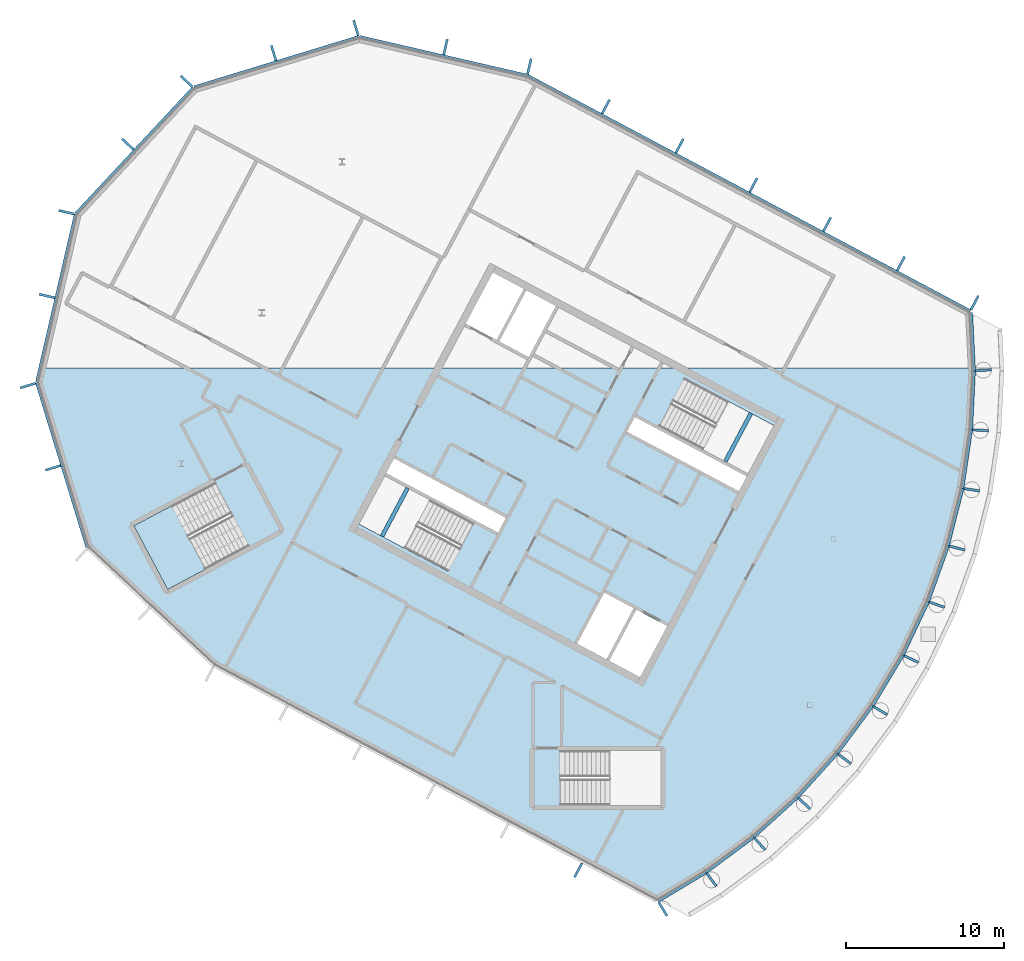
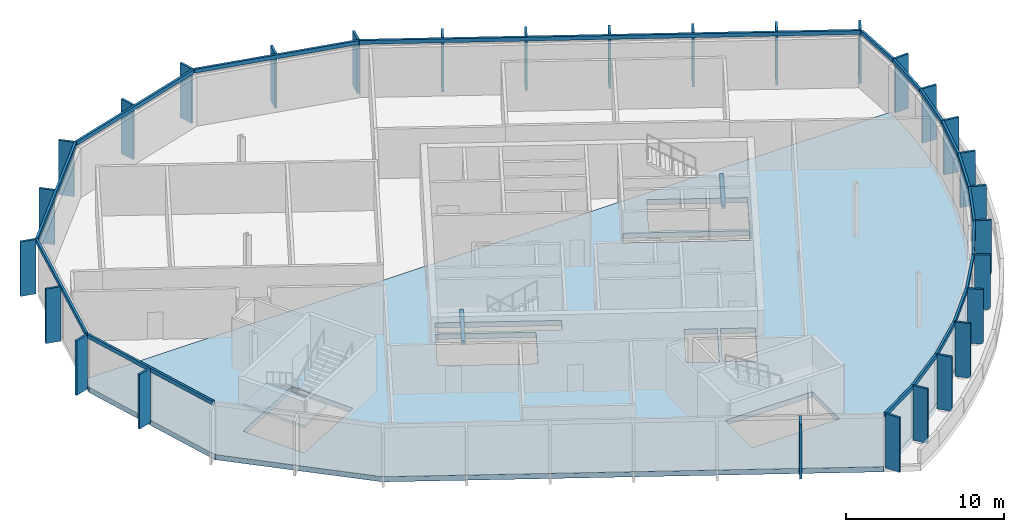
# One storey, part 4 of 16: 47 members, 2 beams, 2 slabs, 20 elements without a shape of their own.
"""IFC4 building model written with IfcOpenShell, lengths in metres."""

from ifc_helpers import new_model, si_unit, direction, frame, origin, origin_2d, place, context, subcontext, project, spatial, polyline, rectangle, outline, extrude, material, layer, layer_set, material_profile, profile_set, type_object, element, aggregate, save


model = new_model("IFC4")

# Units and contexts
model_context = context("Model", 3, precision=1e-05, world=origin(), true_north=direction((0.0, 1.0)))
body_context = subcontext(model_context, "Body", "Model", "MODEL_VIEW")
ifc_project = project(units=[si_unit("LENGTHUNIT", "METRE"), si_unit("AREAUNIT", "SQUARE_METRE"), si_unit("VOLUMEUNIT", "CUBIC_METRE"), si_unit("PLANEANGLEUNIT", "RADIAN"), si_unit("MASSUNIT", "GRAM", prefix="KILO")], contexts=[model_context])

# Site, building, storey
site_placement = place(None, origin())
site = spatial("IfcSite", under=ifc_project, at=site_placement, CompositionType="ELEMENT")
building_placement = place(site_placement, origin())
building = spatial("IfcBuilding", under=site, at=building_placement, Name="Cormorant Relay Tower", CompositionType="ELEMENT")
storey_placement = place(building_placement, frame((0.0, 0.0, 345.0)))
storey = spatial("IfcBuildingStorey", under=building, at=storey_placement, Name="C5", CompositionType="ELEMENT", Elevation=345.0)

# Curtain wall, member
ifc_material_1 = material(Name="Aluminium 6063-T6 anodised bronze", Category="aluminium")
ifc_layer_1 = layer(ifc_material_1, 0.199951171875)
ifc_layer_set_1 = layer_set([ifc_layer_1], Name="CW3 crown screen wall")
curtain_wall_type = type_object("IfcCurtainWallType", Name="CW3 crown screen wall", PredefinedType="NOTDEFINED", material=ifc_layer_set_1)
curtain_wall_1_placement = place(storey_placement, origin())
curtain_wall_1 = element("IfcCurtainWall", 1, at=curtain_wall_1_placement, inside=storey, type_object=curtain_wall_type, Name="CW3 curtain wall 1", PredefinedType="NOTDEFINED")
ifc_material_2 = material(Name="Aluminium 6063-T6 anodised bronze", Category="aluminium")
ifc_material_profile_1 = material_profile(ifc_material_2, rectangle(XDim=0.14990234375, YDim=1.0, at=origin_2d()), Name="AL 150x1000")
ifc_profile_set_1 = profile_set([ifc_material_profile_1], Name="Aluminium 6063-T6 anodised bronze")
member_type_1 = type_object("IfcMemberType", Name="CW3 bronze fin mullion 150 x 1000", PredefinedType="MULLION", material=ifc_profile_set_1)
member_1_placement = place(storey_placement, frame((-26.626220703125, -10.41943359375, 0.0), z_axis=(0.0, 0.0, 1.0), x_axis=(0.882947592859, -0.469471562786, 0.0)))
member_1 = element("IfcMember", 2, at=member_1_placement, type_object=member_type_1, Name="CW3 fin 1.6", PredefinedType="MULLION", context=body_context, shape_type="SweptSolid", body=[
    extrude(rectangle(XDim=0.14990234375, YDim=1.0, at=origin_2d()), origin(), (0.0, 0.0, 1.0), 4.199951171875),
])
aggregate(curtain_wall_1, [member_1])

curtain_wall_2_placement = place(storey_placement, origin())
curtain_wall_2 = element("IfcCurtainWall", 3, at=curtain_wall_2_placement, inside=storey, type_object=curtain_wall_type, Name="CW3 curtain wall 2", PredefinedType="NOTDEFINED")
member_2_placement = place(storey_placement, frame((-21.27880859375, -12.87890625, 0.0), z_axis=(0.0, 0.0, 1.0), x_axis=(0.85772861, 0.514102744193, 0.0)))
member_2 = element("IfcMember", 4, at=member_2_placement, type_object=member_type_1, Name="CW3 fin 2.1", PredefinedType="MULLION", context=body_context, shape_type="SweptSolid", body=[
    extrude(rectangle(XDim=0.14990234375, YDim=1.0, at=origin_2d()), origin(), (0.0, 0.0, 1.0), 4.199951171875),
])

curtain_wall_3_placement = place(storey_placement, origin())
curtain_wall_3 = element("IfcCurtainWall", 5, at=curtain_wall_3_placement, inside=storey, type_object=curtain_wall_type, Name="CW3 curtain wall 3", PredefinedType="NOTDEFINED")
member_3_placement = place(storey_placement, frame((-18.2041015625, -11.031982421875, 0.0), z_axis=(0.0, 0.0, 1.0), x_axis=(0.803207531481, 0.595699304492, 0.0)))
member_3 = element("IfcMember", 6, at=member_3_placement, type_object=member_type_1, Name="CW3 fin 3.1", PredefinedType="MULLION", context=body_context, shape_type="SweptSolid", body=[
    extrude(rectangle(XDim=0.14990234375, YDim=1.0, at=origin_2d()), origin(), (0.0, 0.0, 1.0), 4.199951171875),
])

curtain_wall_4_placement = place(storey_placement, origin())
curtain_wall_4 = element("IfcCurtainWall", 7, at=curtain_wall_4_placement, inside=storey, type_object=curtain_wall_type, Name="CW3 curtain wall 4", PredefinedType="NOTDEFINED")
member_4_placement = place(storey_placement, frame((-15.155517578125, -8.766845703125, 0.0), z_axis=(0.0, 0.0, 1.0), x_axis=(0.740951125355, 0.671558954847, 0.0)))
member_4 = element("IfcMember", 8, at=member_4_placement, type_object=member_type_1, Name="CW3 fin 4.1", PredefinedType="MULLION", context=body_context, shape_type="SweptSolid", body=[
    extrude(rectangle(XDim=0.14990234375, YDim=1.0, at=origin_2d()), origin(), (0.0, 0.0, 1.0), 4.199951171875),
])

curtain_wall_5_placement = place(storey_placement, origin())
curtain_wall_5 = element("IfcCurtainWall", 9, at=curtain_wall_5_placement, inside=storey, type_object=curtain_wall_type, Name="CW3 curtain wall 5", PredefinedType="NOTDEFINED")
member_5_placement = place(storey_placement, frame((-12.343994140625, -6.2138671875, 0.0), z_axis=(0.0, 0.0, 1.0), x_axis=(0.671558954847, 0.740951125355, 0.0)))
member_5 = element("IfcMember", 10, at=member_5_placement, type_object=member_type_1, Name="CW3 fin 5.1", PredefinedType="MULLION", context=body_context, shape_type="SweptSolid", body=[
    extrude(rectangle(XDim=0.14990234375, YDim=1.0, at=origin_2d()), origin(), (0.0, 0.0, 1.0), 4.199951171875),
])

curtain_wall_6_placement = place(storey_placement, origin())
curtain_wall_6 = element("IfcCurtainWall", 11, at=curtain_wall_6_placement, inside=storey, type_object=curtain_wall_type, Name="CW3 curtain wall 6", PredefinedType="NOTDEFINED")
member_6_placement = place(storey_placement, frame((-9.7958984375, -3.397705078125, 0.0), z_axis=(0.0, 0.0, 1.0), x_axis=(0.595699304492, 0.803207531481, 0.0)))
member_6 = element("IfcMember", 12, at=member_6_placement, type_object=member_type_1, Name="CW3 fin 6.1", PredefinedType="MULLION", context=body_context, shape_type="SweptSolid", body=[
    extrude(rectangle(XDim=0.14990234375, YDim=1.0, at=origin_2d()), origin(), (0.0, 0.0, 1.0), 4.199951171875),
])

curtain_wall_7_placement = place(storey_placement, origin())
curtain_wall_7 = element("IfcCurtainWall", 13, at=curtain_wall_7_placement, inside=storey, type_object=curtain_wall_type, Name="CW3 curtain wall 7", PredefinedType="NOTDEFINED")
member_7_placement = place(storey_placement, frame((-7.536376953125, -0.34521484375, 0.0), z_axis=(0.0, 0.0, 1.0), x_axis=(0.514102744193, 0.85772861, 0.0)))
member_7 = element("IfcMember", 14, at=member_7_placement, type_object=member_type_1, Name="CW3 fin 7.1", PredefinedType="MULLION", context=body_context, shape_type="SweptSolid", body=[
    extrude(rectangle(XDim=0.14990234375, YDim=1.0, at=origin_2d()), origin(), (0.0, 0.0, 1.0), 4.199951171875),
])

curtain_wall_8_placement = place(storey_placement, origin())
curtain_wall_8 = element("IfcCurtainWall", 15, at=curtain_wall_8_placement, inside=storey, type_object=curtain_wall_type, Name="CW3 curtain wall 8", PredefinedType="NOTDEFINED")
member_8_placement = place(storey_placement, frame((-5.5869140625, 2.913818359375, 0.0), z_axis=(0.0, 0.0, 1.0), x_axis=(0.42755509343, 0.903989293123, 0.0)))
member_8 = element("IfcMember", 16, at=member_8_placement, type_object=member_type_1, Name="CW3 fin 8.1", PredefinedType="MULLION", context=body_context, shape_type="SweptSolid", body=[
    extrude(rectangle(XDim=0.14990234375, YDim=1.0, at=origin_2d()), origin(), (0.0, 0.0, 1.0), 4.199951171875),
])

curtain_wall_9_placement = place(storey_placement, origin())
curtain_wall_9 = element("IfcCurtainWall", 17, at=curtain_wall_9_placement, inside=storey, type_object=curtain_wall_type, Name="CW3 curtain wall 9", PredefinedType="NOTDEFINED")
member_9_placement = place(storey_placement, frame((-3.966064453125, 6.348388671875, 0.0), z_axis=(0.0, 0.0, 1.0), x_axis=(0.336889853392, 0.941544065183, 0.0)))
member_9 = element("IfcMember", 18, at=member_9_placement, type_object=member_type_1, Name="CW3 fin 9.1", PredefinedType="MULLION", context=body_context, shape_type="SweptSolid", body=[
    extrude(rectangle(XDim=0.14990234375, YDim=1.0, at=origin_2d()), origin(), (0.0, 0.0, 1.0), 4.199951171875),
])

curtain_wall_10_placement = place(storey_placement, origin())
curtain_wall_10 = element("IfcCurtainWall", 19, at=curtain_wall_10_placement, inside=storey, type_object=curtain_wall_type, Name="CW3 curtain wall 10", PredefinedType="NOTDEFINED")
member_10_placement = place(storey_placement, frame((-2.68994140625, 9.92529296875, 0.0), z_axis=(0.0, 0.0, 1.0), x_axis=(0.242980179903, 0.970031253195, 0.0)))
member_10 = element("IfcMember", 20, at=member_10_placement, type_object=member_type_1, Name="CW3 fin 10.1", PredefinedType="MULLION", context=body_context, shape_type="SweptSolid", body=[
    extrude(rectangle(XDim=0.14990234375, YDim=1.0, at=origin_2d()), origin(), (0.0, 0.0, 1.0), 4.199951171875),
])

curtain_wall_11_placement = place(storey_placement, origin())
curtain_wall_11 = element("IfcCurtainWall", 21, at=curtain_wall_11_placement, inside=storey, type_object=curtain_wall_type, Name="CW3 curtain wall 11", PredefinedType="NOTDEFINED")
member_11_placement = place(storey_placement, frame((-1.7705078125, 13.610107421875, 0.0), z_axis=(0.0, 0.0, 1.0), x_axis=(0.146730474455, 0.989176509965, 0.0)))
member_11 = element("IfcMember", 22, at=member_11_placement, type_object=member_type_1, Name="CW3 fin 11.1", PredefinedType="MULLION", context=body_context, shape_type="SweptSolid", body=[
    extrude(rectangle(XDim=0.14990234375, YDim=1.0, at=origin_2d()), origin(), (0.0, 0.0, 1.0), 4.199951171875),
])

curtain_wall_12_placement = place(storey_placement, origin())
curtain_wall_12 = element("IfcCurtainWall", 23, at=curtain_wall_12_placement, inside=storey, type_object=curtain_wall_type, Name="CW3 curtain wall 12", PredefinedType="NOTDEFINED")
member_12_placement = place(storey_placement, frame((-1.216552734375, 17.3671875, 0.0), z_axis=(0.0, 0.0, 1.0), x_axis=(0.049067674327, 0.998795456205, 0.0)))
member_12 = element("IfcMember", 24, at=member_12_placement, type_object=member_type_1, Name="CW3 fin 12.1", PredefinedType="MULLION", context=body_context, shape_type="SweptSolid", body=[
    extrude(rectangle(XDim=0.14990234375, YDim=1.0, at=origin_2d()), origin(), (0.0, 0.0, 1.0), 4.199951171875),
])

curtain_wall_13_placement = place(storey_placement, origin())
curtain_wall_13 = element("IfcCurtainWall", 25, at=curtain_wall_13_placement, inside=storey, type_object=curtain_wall_type, Name="CW3 curtain wall 13", PredefinedType="NOTDEFINED")
member_13_placement = place(storey_placement, frame((-1.033447265625, 21.16064453125, 0.0), z_axis=(0.0, 0.0, 1.0), x_axis=(-0.049067674327, 0.998795456205, 0.0)))
member_13 = element("IfcMember", 26, at=member_13_placement, type_object=member_type_1, Name="CW3 fin 13.1", PredefinedType="MULLION", context=body_context, shape_type="SweptSolid", body=[
    extrude(rectangle(XDim=0.14990234375, YDim=1.0, at=origin_2d()), origin(), (0.0, 0.0, 1.0), 4.199951171875),
])

# Curtain wall, members
curtain_wall_14_placement = place(storey_placement, origin())
curtain_wall_14 = element("IfcCurtainWall", 27, at=curtain_wall_14_placement, inside=storey, type_object=curtain_wall_type, Name="CW3 curtain wall 14", PredefinedType="NOTDEFINED")
member_14_placement = place(storey_placement, frame((-1.584716796875, 25.419189453125, 0.0), z_axis=(0.0, 0.0, 1.0), x_axis=(-0.882947592859, 0.469471562786, 0.0)))
member_14 = element("IfcMember", 28, at=member_14_placement, type_object=member_type_1, Name="CW3 fin 14.1", PredefinedType="MULLION", context=body_context, shape_type="SweptSolid", body=[
    extrude(rectangle(XDim=0.14990234375, YDim=1.0, at=origin_2d()), origin(), (0.0, 0.0, 1.0), 4.199951171875),
])
member_15_placement = place(storey_placement, frame((-6.24462890625, 27.897216796875, 0.0), z_axis=(0.0, 0.0, 1.0), x_axis=(-0.882947592859, 0.469471562786, 0.0)))
member_15 = element("IfcMember", 29, at=member_15_placement, type_object=member_type_1, Name="CW3 fin 14.2", PredefinedType="MULLION", context=body_context, shape_type="SweptSolid", body=[
    extrude(rectangle(XDim=0.14990234375, YDim=1.0, at=origin_2d()), origin(), (0.0, 0.0, 1.0), 4.199951171875),
])
member_16_placement = place(storey_placement, frame((-10.90478515625, 30.375, 0.0), z_axis=(0.0, 0.0, 1.0), x_axis=(-0.882947592859, 0.469471562786, 0.0)))
member_16 = element("IfcMember", 30, at=member_16_placement, type_object=member_type_1, Name="CW3 fin 14.3", PredefinedType="MULLION", context=body_context, shape_type="SweptSolid", body=[
    extrude(rectangle(XDim=0.14990234375, YDim=1.0, at=origin_2d()), origin(), (0.0, 0.0, 1.0), 4.199951171875),
])
member_17_placement = place(storey_placement, frame((-15.564697265625, 32.852783203125, 0.0), z_axis=(0.0, 0.0, 1.0), x_axis=(-0.882947592859, 0.469471562786, 0.0)))
member_17 = element("IfcMember", 31, at=member_17_placement, type_object=member_type_1, Name="CW3 fin 14.4", PredefinedType="MULLION", context=body_context, shape_type="SweptSolid", body=[
    extrude(rectangle(XDim=0.14990234375, YDim=1.0, at=origin_2d()), origin(), (0.0, 0.0, 1.0), 4.199951171875),
])
member_18_placement = place(storey_placement, frame((-20.224853515625, 35.33056640625, 0.0), z_axis=(0.0, 0.0, 1.0), x_axis=(-0.882947592859, 0.469471562786, 0.0)))
member_18 = element("IfcMember", 32, at=member_18_placement, type_object=member_type_1, Name="CW3 fin 14.5", PredefinedType="MULLION", context=body_context, shape_type="SweptSolid", body=[
    extrude(rectangle(XDim=0.14990234375, YDim=1.0, at=origin_2d()), origin(), (0.0, 0.0, 1.0), 4.199951171875),
])
member_19_placement = place(storey_placement, frame((-24.885009765625, 37.808349609375, 0.0), z_axis=(0.0, 0.0, 1.0), x_axis=(-0.882947592859, 0.469471562786, 0.0)))
member_19 = element("IfcMember", 33, at=member_19_placement, type_object=member_type_1, Name="CW3 fin 14.6", PredefinedType="MULLION", context=body_context, shape_type="SweptSolid", body=[
    extrude(rectangle(XDim=0.14990234375, YDim=1.0, at=origin_2d()), origin(), (0.0, 0.0, 1.0), 4.199951171875),
])

curtain_wall_15_placement = place(storey_placement, origin())
curtain_wall_15 = element("IfcCurtainWall", 34, at=curtain_wall_15_placement, inside=storey, type_object=curtain_wall_type, Name="CW3 curtain wall 15", PredefinedType="NOTDEFINED")
member_20_placement = place(storey_placement, frame((-29.71630859375, 40.35009765625, 0.0), z_axis=(0.0, 0.0, 1.0), x_axis=(-0.974370064785, 0.224951054344, 0.0)))
member_20 = element("IfcMember", 35, at=member_20_placement, type_object=member_type_1, Name="CW3 fin 15.1", PredefinedType="MULLION", context=body_context, shape_type="SweptSolid", body=[
    extrude(rectangle(XDim=0.14990234375, YDim=1.0, at=origin_2d()), origin(), (0.0, 0.0, 1.0), 4.199951171875),
])
member_21_placement = place(storey_placement, frame((-35.01220703125, 41.57275390625, 0.0), z_axis=(0.0, 0.0, 1.0), x_axis=(-0.974370064785, 0.224951054344, 0.0)))
member_21 = element("IfcMember", 36, at=member_21_placement, type_object=member_type_1, Name="CW3 fin 15.2", PredefinedType="MULLION", context=body_context, shape_type="SweptSolid", body=[
    extrude(rectangle(XDim=0.14990234375, YDim=1.0, at=origin_2d()), origin(), (0.0, 0.0, 1.0), 4.199951171875),
])

curtain_wall_16_placement = place(storey_placement, origin())
curtain_wall_16 = element("IfcCurtainWall", 37, at=curtain_wall_16_placement, inside=storey, type_object=curtain_wall_type, Name="CW3 curtain wall 16", PredefinedType="NOTDEFINED")
member_22_placement = place(storey_placement, frame((-40.670166015625, 42.78271484375, 0.0), z_axis=(0.0, 0.0, 1.0), x_axis=(-0.956304755963, -0.292371704723, 0.0)))
member_22 = element("IfcMember", 38, at=member_22_placement, type_object=member_type_1, Name="CW3 fin 16.1", PredefinedType="MULLION", context=body_context, shape_type="SweptSolid", body=[
    extrude(rectangle(XDim=0.14990234375, YDim=1.0, at=origin_2d()), origin(), (0.0, 0.0, 1.0), 4.199951171875),
])
member_23_placement = place(storey_placement, frame((-45.867919921875, 41.193603515625, 0.0), z_axis=(0.0, 0.0, 1.0), x_axis=(-0.956304755963, -0.292371704723, 0.0)))
member_23 = element("IfcMember", 39, at=member_23_placement, type_object=member_type_1, Name="CW3 fin 16.2", PredefinedType="MULLION", context=body_context, shape_type="SweptSolid", body=[
    extrude(rectangle(XDim=0.14990234375, YDim=1.0, at=origin_2d()), origin(), (0.0, 0.0, 1.0), 4.199951171875),
])

curtain_wall_17_placement = place(storey_placement, origin())
curtain_wall_17 = element("IfcCurtainWall", 40, at=curtain_wall_17_placement, inside=storey, type_object=curtain_wall_type, Name="CW3 curtain wall 17", PredefinedType="NOTDEFINED")
member_24_placement = place(storey_placement, frame((-51.372802734375, 39.41259765625, 0.0), z_axis=(0.0, 0.0, 1.0), x_axis=(-0.681998360062, -0.731353701619, 0.0)))
member_24 = element("IfcMember", 41, at=member_24_placement, type_object=member_type_1, Name="CW3 fin 17.1", PredefinedType="MULLION", context=body_context, shape_type="SweptSolid", body=[
    extrude(rectangle(XDim=0.14990234375, YDim=1.0, at=origin_2d()), origin(), (0.0, 0.0, 1.0), 4.199951171875),
])
member_25_placement = place(storey_placement, frame((-55.07958984375, 35.4375, 0.0), z_axis=(0.0, 0.0, 1.0), x_axis=(-0.681998360062, -0.731353701619, 0.0)))
member_25 = element("IfcMember", 42, at=member_25_placement, type_object=member_type_1, Name="CW3 fin 17.2", PredefinedType="MULLION", context=body_context, shape_type="SweptSolid", body=[
    extrude(rectangle(XDim=0.14990234375, YDim=1.0, at=origin_2d()), origin(), (0.0, 0.0, 1.0), 4.199951171875),
])

curtain_wall_18_placement = place(storey_placement, origin())
curtain_wall_18 = element("IfcCurtainWall", 43, at=curtain_wall_18_placement, inside=storey, type_object=curtain_wall_type, Name="CW3 curtain wall 18", PredefinedType="NOTDEFINED")
member_26_placement = place(storey_placement, frame((-58.95654296875, 31.142578125, 0.0), z_axis=(0.0, 0.0, 1.0), x_axis=(-0.224951054344, -0.974370064785, 0.0)))
member_26 = element("IfcMember", 44, at=member_26_placement, type_object=member_type_1, Name="CW3 fin 18.1", PredefinedType="MULLION", context=body_context, shape_type="SweptSolid", body=[
    extrude(rectangle(XDim=0.14990234375, YDim=1.0, at=origin_2d()), origin(), (0.0, 0.0, 1.0), 4.199951171875),
])
member_27_placement = place(storey_placement, frame((-60.17919921875, 25.8466796875, 0.0), z_axis=(0.0, 0.0, 1.0), x_axis=(-0.224951054344, -0.974370064785, 0.0)))
member_27 = element("IfcMember", 45, at=member_27_placement, type_object=member_type_1, Name="CW3 fin 18.2", PredefinedType="MULLION", context=body_context, shape_type="SweptSolid", body=[
    extrude(rectangle(XDim=0.14990234375, YDim=1.0, at=origin_2d()), origin(), (0.0, 0.0, 1.0), 4.199951171875),
])

curtain_wall_19_placement = place(storey_placement, origin())
curtain_wall_19 = element("IfcCurtainWall", 46, at=curtain_wall_19_placement, inside=storey, type_object=curtain_wall_type, Name="CW3 curtain wall 19", PredefinedType="NOTDEFINED")
member_28_placement = place(storey_placement, frame((-61.389404296875, 20.188720703125, 0.0), z_axis=(0.0, 0.0, 1.0), x_axis=(0.292371704723, -0.956304755963, 0.0)))
member_28 = element("IfcMember", 47, at=member_28_placement, type_object=member_type_1, Name="CW3 fin 19.1", PredefinedType="MULLION", context=body_context, shape_type="SweptSolid", body=[
    extrude(rectangle(XDim=0.14990234375, YDim=1.0, at=origin_2d()), origin(), (0.0, 0.0, 1.0), 4.199951171875),
])
member_29_placement = place(storey_placement, frame((-59.80029296875, 14.990966796875, 0.0), z_axis=(0.0, 0.0, 1.0), x_axis=(0.292371704723, -0.956304755963, 0.0)))
member_29 = element("IfcMember", 48, at=member_29_placement, type_object=member_type_1, Name="CW3 fin 19.2", PredefinedType="MULLION", context=body_context, shape_type="SweptSolid", body=[
    extrude(rectangle(XDim=0.14990234375, YDim=1.0, at=origin_2d()), origin(), (0.0, 0.0, 1.0), 4.199951171875),
])

# Member
ifc_material_3 = material(Name="Aluminium 6063-T6 anodised bronze", Category="aluminium")
ifc_material_profile_2 = material_profile(ifc_material_3, rectangle(XDim=0.159912109375, YDim=0.300048828125, at=origin_2d()), Name="AL 160x300")
ifc_profile_set_2 = profile_set([ifc_material_profile_2], Name="Aluminium 6063-T6 anodised bronze")
member_type_2 = type_object("IfcMemberType", Name="CW3 bronze transom 160 x 300", PredefinedType="USERDEFINED", material=ifc_profile_set_2)
member_30_placement = place(storey_placement, frame((-21.5771484375, -12.38134765625, 4.050048828125), z_axis=(0.857725497461, 0.514107937116, 0.0), x_axis=(-0.514107937116, 0.857725497461, 0.0)))
member_30 = element("IfcMember", 49, at=member_30_placement, type_object=member_type_2, Name="CW3 transom 2", ObjectType="TRANSOM", PredefinedType="USERDEFINED", context=body_context, shape_type="SweptSolid", body=[
    extrude(rectangle(XDim=0.159912109375, YDim=0.300048828125, at=origin_2d()), origin(), (0.0, 0.0, 1.0), 3.518310546875),
])

aggregate(curtain_wall_2, [member_2, member_30])

member_31_placement = place(storey_placement, frame((-18.549560546875, -10.56591796875, 4.050048828125), z_axis=(0.803217259145, 0.595686188032, 0.0), x_axis=(-0.595686188032, 0.803217259145, 0.0)))
member_31 = element("IfcMember", 50, at=member_31_placement, type_object=member_type_2, Name="CW3 transom 3", ObjectType="TRANSOM", PredefinedType="USERDEFINED", context=body_context, shape_type="SweptSolid", body=[
    extrude(rectangle(XDim=0.159912109375, YDim=0.300048828125, at=origin_2d()), origin(), (0.0, 0.0, 1.0), 3.729248046875),
])

aggregate(curtain_wall_3, [member_3, member_31])

member_32_placement = place(storey_placement, frame((-15.545166015625, -8.337158203125, 4.050048828125), z_axis=(0.740952339092, 0.671557615692, 0.0), x_axis=(-0.671557615692, 0.740952339092, 0.0)))
member_32 = element("IfcMember", 51, at=member_32_placement, type_object=member_type_2, Name="CW3 transom 4", ObjectType="TRANSOM", PredefinedType="USERDEFINED", context=body_context, shape_type="SweptSolid", body=[
    extrude(rectangle(XDim=0.159912109375, YDim=0.300048828125, at=origin_2d()), origin(), (0.0, 0.0, 1.0), 3.729248046875),
])

aggregate(curtain_wall_4, [member_4, member_32])

member_33_placement = place(storey_placement, frame((-12.773681640625, -5.824462890625, 4.050048828125), z_axis=(0.671557615692, 0.740952339092, 0.0), x_axis=(-0.740952339092, 0.671557615692, 0.0)))
member_33 = element("IfcMember", 52, at=member_33_placement, type_object=member_type_2, Name="CW3 transom 5", ObjectType="TRANSOM", PredefinedType="USERDEFINED", context=body_context, shape_type="SweptSolid", body=[
    extrude(rectangle(XDim=0.159912109375, YDim=0.300048828125, at=origin_2d()), origin(), (0.0, 0.0, 1.0), 3.729248046875),
])

aggregate(curtain_wall_5, [member_5, member_33])

member_34_placement = place(storey_placement, frame((-10.261962890625, -3.05224609375, 4.050048828125), z_axis=(0.595728422256, 0.803185935457, 0.0), x_axis=(-0.803185935457, 0.595728422256, 0.0)))
member_34 = element("IfcMember", 53, at=member_34_placement, type_object=member_type_2, Name="CW3 transom 6", ObjectType="TRANSOM", PredefinedType="USERDEFINED", context=body_context, shape_type="SweptSolid", body=[
    extrude(rectangle(XDim=0.159912109375, YDim=0.300048828125, at=origin_2d()), origin(), (0.0, 0.0, 1.0), 3.729248046875),
])

aggregate(curtain_wall_6, [member_6, member_34])

member_35_placement = place(storey_placement, frame((-8.033935546875, -0.047119140625, 4.050048828125), z_axis=(0.514100982148, 0.857729666127, 0.0), x_axis=(-0.857729666127, 0.514100982148, 0.0)))
member_35 = element("IfcMember", 54, at=member_35_placement, type_object=member_type_2, Name="CW3 transom 7", ObjectType="TRANSOM", PredefinedType="USERDEFINED", context=body_context, shape_type="SweptSolid", body=[
    extrude(rectangle(XDim=0.159912109375, YDim=0.300048828125, at=origin_2d()), origin(), (0.0, 0.0, 1.0), 3.729248046875),
])

aggregate(curtain_wall_7, [member_7, member_35])

member_36_placement = place(storey_placement, frame((-6.111083984375, 3.161865234375, 4.050048828125), z_axis=(0.427571270458, 0.903981641782, 0.0), x_axis=(-0.903981641782, 0.427571270458, 0.0)))
member_36 = element("IfcMember", 55, at=member_36_placement, type_object=member_type_2, Name="CW3 transom 8", ObjectType="TRANSOM", PredefinedType="USERDEFINED", context=body_context, shape_type="SweptSolid", body=[
    extrude(rectangle(XDim=0.159912109375, YDim=0.300048828125, at=origin_2d()), origin(), (0.0, 0.0, 1.0), 3.729248046875),
])

aggregate(curtain_wall_8, [member_8, member_36])

member_37_placement = place(storey_placement, frame((-4.51220703125, 6.543701171875, 4.050048828125), z_axis=(0.336892065519, 0.941543273668, 0.0), x_axis=(-0.941543273668, 0.336892065519, 0.0)))
member_37 = element("IfcMember", 56, at=member_37_placement, type_object=member_type_2, Name="CW3 transom 9", ObjectType="TRANSOM", PredefinedType="USERDEFINED", context=body_context, shape_type="SweptSolid", body=[
    extrude(rectangle(XDim=0.159912109375, YDim=0.300048828125, at=origin_2d()), origin(), (0.0, 0.0, 1.0), 3.729248046875),
])

aggregate(curtain_wall_9, [member_9, member_37])

member_38_placement = place(storey_placement, frame((-3.25244140625, 10.066162109375, 4.050048828125), z_axis=(0.242951516705, 0.970038432502, 0.0), x_axis=(-0.970038432502, 0.242951516705, 0.0)))
member_38 = element("IfcMember", 57, at=member_38_placement, type_object=member_type_2, Name="CW3 transom 10", ObjectType="TRANSOM", PredefinedType="USERDEFINED", context=body_context, shape_type="SweptSolid", body=[
    extrude(rectangle(XDim=0.159912109375, YDim=0.300048828125, at=origin_2d()), origin(), (0.0, 0.0, 1.0), 3.729248046875),
])

aggregate(curtain_wall_10, [member_10, member_38])

member_39_placement = place(storey_placement, frame((-2.343994140625, 13.6953125, 4.050048828125), z_axis=(0.146717122062, 0.989178490513, 0.0), x_axis=(-0.989178490513, 0.146717122062, 0.0)))
member_39 = element("IfcMember", 58, at=member_39_placement, type_object=member_type_2, Name="CW3 transom 11", ObjectType="TRANSOM", PredefinedType="USERDEFINED", context=body_context, shape_type="SweptSolid", body=[
    extrude(rectangle(XDim=0.159912109375, YDim=0.300048828125, at=origin_2d()), origin(), (0.0, 0.0, 1.0), 3.72900390625),
])

aggregate(curtain_wall_11, [member_11, member_39])

member_40_placement = place(storey_placement, frame((-1.7958984375, 17.395751953125, 4.050048828125), z_axis=(0.049101687108, 0.998793784684, 0.0), x_axis=(-0.998793784684, 0.049101687108, 0.0)))
member_40 = element("IfcMember", 59, at=member_40_placement, type_object=member_type_2, Name="CW3 transom 12", ObjectType="TRANSOM", PredefinedType="USERDEFINED", context=body_context, shape_type="SweptSolid", body=[
    extrude(rectangle(XDim=0.159912109375, YDim=0.300048828125, at=origin_2d()), origin(), (0.0, 0.0, 1.0), 3.72900390625),
])

aggregate(curtain_wall_12, [member_12, member_40])

member_41_placement = place(storey_placement, frame((-1.61279296875, 21.132080078125, 4.050048828125), z_axis=(-0.049034149925, 0.99879710259, 0.0), x_axis=(-0.99879710259, -0.049034149925, 0.0)))
member_41 = element("IfcMember", 60, at=member_41_placement, type_object=member_type_2, Name="CW3 transom 13", ObjectType="TRANSOM", PredefinedType="USERDEFINED", context=body_context, shape_type="SweptSolid", body=[
    extrude(rectangle(XDim=0.159912109375, YDim=0.300048828125, at=origin_2d()), origin(), (0.0, 0.0, 1.0), 3.679443359375),
])

aggregate(curtain_wall_13, [member_13, member_41])

member_42_placement = place(storey_placement, frame((-1.856689453125, 24.9072265625, 4.050048828125), z_axis=(-0.882947867948, 0.469471045419, 0.0), x_axis=(-0.469471045419, -0.882947867948, 0.0)))
member_42 = element("IfcMember", 61, at=member_42_placement, type_object=member_type_2, Name="CW3 transom 14", ObjectType="TRANSOM", PredefinedType="USERDEFINED", context=body_context, shape_type="SweptSolid", body=[
    extrude(rectangle(XDim=0.159912109375, YDim=0.300048828125, at=origin_2d()), origin(), (0.0, 0.0, 1.0), 31.66748046875),
])

aggregate(curtain_wall_14, [member_14, member_15, member_16, member_17, member_18, member_19, member_42])

member_43_placement = place(storey_placement, frame((-29.8466796875, 39.784912109375, 4.050048828125), z_axis=(-0.974365070969, 0.224972683844, 0.0), x_axis=(-0.224972683844, -0.974365070969, 0.0)))
member_43 = element("IfcMember", 62, at=member_43_placement, type_object=member_type_2, Name="CW3 transom 15", ObjectType="TRANSOM", PredefinedType="USERDEFINED", context=body_context, shape_type="SweptSolid", body=[
    extrude(rectangle(XDim=0.159912109375, YDim=0.300048828125, at=origin_2d()), origin(), (0.0, 0.0, 1.0), 10.870361328125),
])

aggregate(curtain_wall_15, [member_20, member_21, member_43])

member_44_placement = place(storey_placement, frame((-40.50048828125, 42.228271484375, 4.050048828125), z_axis=(-0.956304833932, -0.292371449698, 0.0), x_axis=(0.292371449698, -0.956304833932, 0.0)))
member_44 = element("IfcMember", 63, at=member_44_placement, type_object=member_type_2, Name="CW3 transom 16", ObjectType="TRANSOM", PredefinedType="USERDEFINED", context=body_context, shape_type="SweptSolid", body=[
    extrude(rectangle(XDim=0.159912109375, YDim=0.300048828125, at=origin_2d()), origin(), (0.0, 0.0, 1.0), 10.87060546875),
])

aggregate(curtain_wall_16, [member_22, member_23, member_44])

member_45_placement = place(storey_placement, frame((-50.94873046875, 39.01708984375, 4.050048828125), z_axis=(-0.681993299437, -0.731358420696, 0.0), x_axis=(0.731358420696, -0.681993299437, 0.0)))
member_45 = element("IfcMember", 64, at=member_45_placement, type_object=member_type_2, Name="CW3 transom 17", ObjectType="TRANSOM", PredefinedType="USERDEFINED", context=body_context, shape_type="SweptSolid", body=[
    extrude(rectangle(XDim=0.159912109375, YDim=0.300048828125, at=origin_2d()), origin(), (0.0, 0.0, 1.0), 10.870361328125),
])

aggregate(curtain_wall_17, [member_24, member_25, member_45])

member_46_placement = place(storey_placement, frame((-58.3916015625, 31.01220703125, 4.050048828125), z_axis=(-0.22495136131, -0.974369993916, 0.0), x_axis=(0.974369993916, -0.22495136131, 0.0)))
member_46 = element("IfcMember", 65, at=member_46_placement, type_object=member_type_2, Name="CW3 transom 18", ObjectType="TRANSOM", PredefinedType="USERDEFINED", context=body_context, shape_type="SweptSolid", body=[
    extrude(rectangle(XDim=0.159912109375, YDim=0.300048828125, at=origin_2d()), origin(), (0.0, 0.0, 1.0), 10.870361328125),
])

aggregate(curtain_wall_18, [member_26, member_27, member_46])

member_47_placement = place(storey_placement, frame((-60.834716796875, 20.358154296875, 4.050048828125), z_axis=(0.292377729282, -0.95630291405, 0.0), x_axis=(0.95630291405, 0.292377729282, 0.0)))
member_47 = element("IfcMember", 66, at=member_47_placement, type_object=member_type_2, Name="CW3 transom 19", ObjectType="TRANSOM", PredefinedType="USERDEFINED", context=body_context, shape_type="SweptSolid", body=[
    extrude(rectangle(XDim=0.159912109375, YDim=0.300048828125, at=origin_2d()), origin(), (0.0, 0.0, 1.0), 10.870361328125),
])

aggregate(curtain_wall_19, [member_28, member_29, member_47])

# Beams
ifc_material_4 = material(Name="Concrete 50 MPa", Category="concrete")
ifc_material_profile_3 = material_profile(ifc_material_4, rectangle(XDim=0.25, YDim=0.300048828125, at=origin_2d()), Name="RC 250x300")
ifc_profile_set_3 = profile_set([ifc_material_profile_3], Name="Concrete 50 MPa")
beam_type = type_object("IfcBeamType", Name="Stair landing ledge beam 250x300", PredefinedType="BEAM", material=ifc_profile_set_3)
for number, where, z_axis, x_axis, name in (
    (67, (-17.338623046875, 15.3916015625, 1.75), (0.469463917486, 0.882951657895, 0.0), (-0.882951657895, 0.469463917486, 0.0), "A1 landing ledge beam"),
    (68, (-37.404052734375, 13.715576171875, 1.75), (-0.469463917486, -0.882951657895, 0.0), (0.882951657895, -0.469463917486, 0.0), "A2 landing ledge beam"),
):
    element("IfcBeam", number, at=place(storey_placement, frame(where, z_axis=z_axis, x_axis=x_axis)), inside=storey, type_object=beam_type, Name=name, PredefinedType="BEAM", context=body_context, shape_type="SweptSolid", body=[
        extrude(rectangle(XDim=0.25, YDim=0.300048828125, at=origin_2d()), origin(), (0.0, 0.0, 1.0), 3.449951171875),
    ])

# Slab
ifc_material_5 = material(Name="Concrete 40 MPa", Category="concrete")
ifc_layer_2 = layer(ifc_material_5, 0.400146484375)
ifc_layer_set_2 = layer_set([ifc_layer_2], Name="Crown floor slab 400")
slab_type_1 = type_object("IfcSlabType", Name="Crown floor slab 400", PredefinedType="FLOOR", material=ifc_layer_set_2)
slab_1_placement = place(storey_placement, frame((0.0, 0.0, -0.400146484375)))
element("IfcSlab", 69, at=slab_1_placement, inside=storey, type_object=slab_type_1, Name="Crown floor C5", PredefinedType="FLOOR", context=body_context, shape_type="SweptSolid", body=[
    extrude(outline(polyline([(-21.638916015625, -12.2783203125), (-18.62109375, -10.469482421875), (-15.625732421875, -8.248291015625), (-12.862548828125, -5.743896484375), (-10.358154296875, -2.980712890625), (-8.13671875, 0.0146484375), (-6.219482421875, 3.213134765625), (-4.625244140625, 6.584228515625), (-3.368896484375, 10.095458984375), (-2.462890625, 13.712890625), (-1.91552734375, 17.401611328125), (-1.732666015625, 21.126220703125), (-1.7412109375, 21.300048828125), (-60.510498046875, 21.300048828125), (-60.7197265625, 20.393310546875), (-57.541748046875, 9.997802734375), (-49.591552734375, 2.584228515625), (-21.638916015625, -12.2783203125)]), holes=[polyline([(-21.39990234375, -2.875), (-27.75, -2.875), (-27.75, -6.324951171875), (-21.39990234375, -6.324951171875), (-21.39990234375, -2.875)]), polyline([(-22.95458984375, 6.03271484375), (-24.668212890625, 2.81005859375), (-22.725830078125, 1.777099609375), (-21.01220703125, 5.0), (-23.04296875, 6.07958984375), (-22.95458984375, 6.03271484375)]), polyline([(-24.985595703125, 7.112548828125), (-26.69921875, 3.889892578125), (-24.844970703125, 2.90380859375), (-23.13134765625, 6.126708984375), (-23.04296875, 6.07958984375), (-24.985595703125, 7.112548828125)]), polyline([(-54.69970703125, 11.330810546875), (-52.563720703125, 7.3134765625), (-47.442626953125, 10.036376953125), (-49.57861328125, 14.0537109375), (-54.69970703125, 11.330810546875)]), polyline([(-38.847900390625, 14.483154296875), (-40.46728515625, 11.43701171875), (-34.860595703125, 8.455810546875), (-33.240966796875, 11.502197265625), (-38.847900390625, 14.483154296875)]), polyline([(-31.690185546875, 10.904052734375), (-31.197265625, 11.8310546875), (-38.260986328125, 15.5869140625), (-38.75390625, 14.659912109375), (-31.690185546875, 10.904052734375)]), polyline([(-23.052490234375, 18.203125), (-23.54541015625, 17.276123046875), (-16.481689453125, 13.520263671875), (-15.989013671875, 14.447509765625), (-23.052490234375, 18.203125)]), polyline([(-14.275390625, 17.670166015625), (-19.882080078125, 20.6513671875), (-21.501708984375, 17.605224609375), (-15.89501953125, 14.6240234375), (-14.275390625, 17.670166015625)])]), origin(), (0.0, 0.0, 1.0), 0.400146484375),
])

# Stair, slab
ifc_material_6 = material(Name="Concrete 40 MPa", Category="concrete")
stair_type = type_object("IfcStairType", Name="Remote exit stair 2200", PredefinedType="HALF_TURN_STAIR", material=ifc_material_6)
stair_placement = place(storey_placement, origin())
stair = element("IfcStair", 70, at=stair_placement, inside=storey, type_object=stair_type, Name="C5 Stair", PredefinedType="HALF_TURN_STAIR")
ifc_material_7 = material(Name="Concrete 40 MPa", Category="concrete")
ifc_layer_3 = layer(ifc_material_7, 0.199951171875)
ifc_layer_set_3 = layer_set([ifc_layer_3], Name="Exit stair landing 200")
slab_type_2 = type_object("IfcSlabType", Name="Exit stair landing 200", PredefinedType="LANDING", material=ifc_layer_set_3)
slab_2_placement = place(storey_placement, frame((0.0, 0.0, 1.89990234375)))
slab_2 = element("IfcSlab", 71, at=slab_2_placement, type_object=slab_type_2, Name="RP1 landing 1", PredefinedType="LANDING", context=body_context, shape_type="SweptSolid", body=[
    extrude(outline(polyline([(-52.29833984375, 12.607666015625), (-54.699951171875, 11.330810546875), (-52.563720703125, 7.3134765625), (-50.162109375, 8.59033203125), (-52.29833984375, 12.607666015625)])), origin(), (0.0, 0.0, 1.0), 0.2001953125),
])
aggregate(stair, [slab_2])

save(model, "model.ifc")
